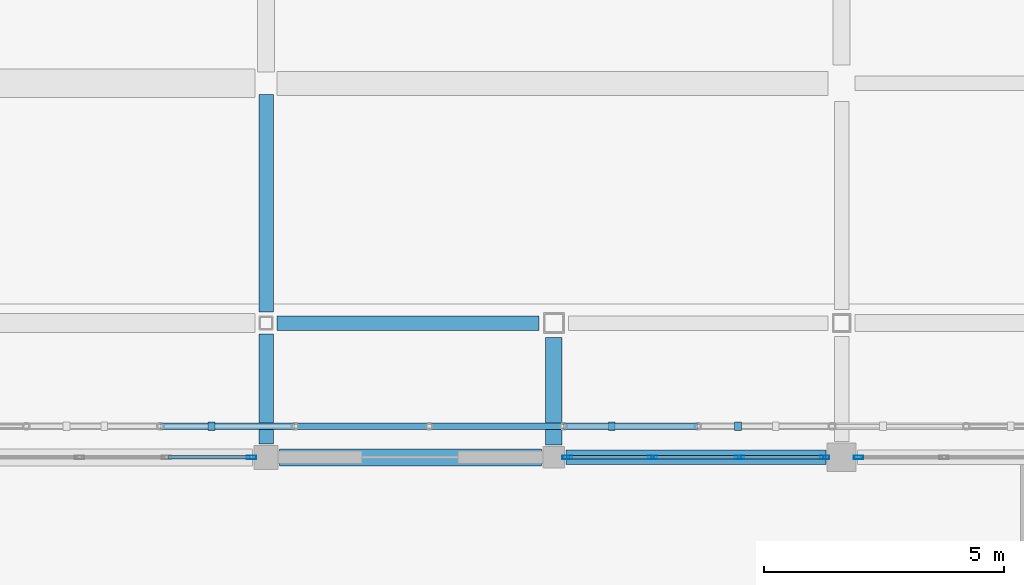
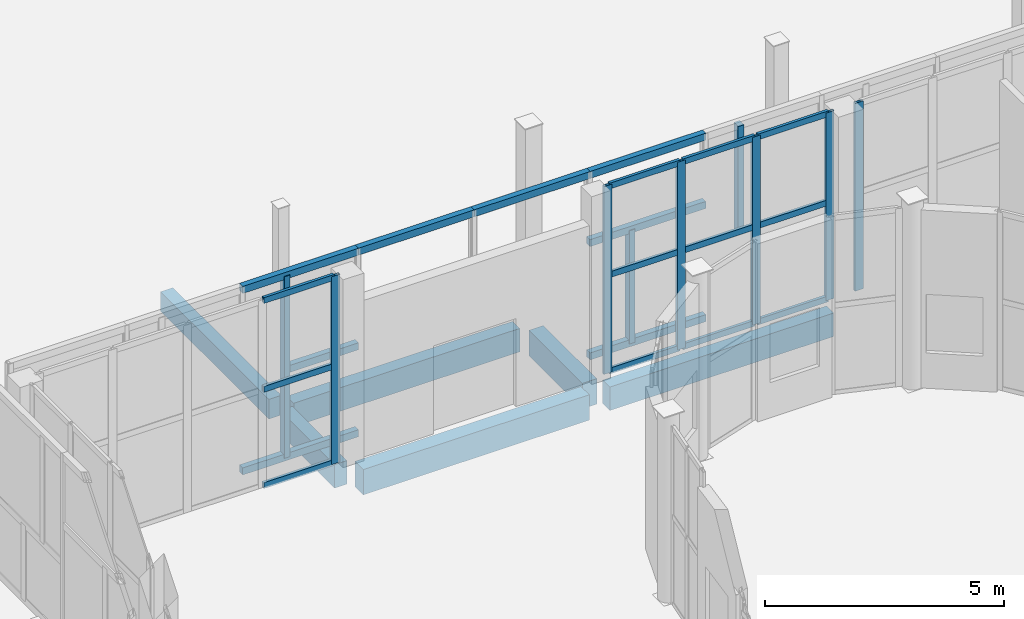
# One storey, part 45 of 91: 29 members, 6 beams, 3 elements without a shape of their own.
"""IFC4 building model written with IfcOpenShell, lengths in metres."""

from ifc_helpers import new_model, si_unit, direction, frame, origin, origin_2d, place, context, subcontext, project, spatial, rectangle, hollow_rectangle, extrude, material, layer, layer_set, material_profile, profile_set, type_object, element, aggregate, save


model = new_model("IFC4")

# Units and contexts
model_context = context("Model", 3, precision=1e-05, world=origin(), true_north=direction((0.0, 1.0)))
body_context = subcontext(model_context, "Body", "Model", "MODEL_VIEW")
ifc_project = project(units=[si_unit("LENGTHUNIT", "METRE"), si_unit("AREAUNIT", "SQUARE_METRE"), si_unit("VOLUMEUNIT", "CUBIC_METRE"), si_unit("PLANEANGLEUNIT", "RADIAN"), si_unit("MASSUNIT", "GRAM", prefix="KILO")], contexts=[model_context])

# Site, building, storey
site_placement = place(None, origin())
site = spatial("IfcSite", under=ifc_project, at=site_placement, CompositionType="ELEMENT")
building_placement = place(site_placement, origin())
building = spatial("IfcBuilding", under=site, at=building_placement, Name="Vinh Khe Railworks Police Headquarters", CompositionType="ELEMENT")
storey_placement = place(building_placement, origin())
storey = spatial("IfcBuildingStorey", under=building, at=storey_placement, Name="L00", CompositionType="ELEMENT", Elevation=0.0)

# Members
ifc_material_1 = material(Name="Salvaged ironwood timber", Category="wood")
ifc_material_profile_1 = material_profile(ifc_material_1, rectangle(XDim=0.139892578125, YDim=0.179931640625, at=origin_2d()), Name="TIMBER 140x180")
ifc_profile_set_1 = profile_set([ifc_material_profile_1], Name="Salvaged ironwood timber")
member_type_1 = type_object("IfcMemberType", Name="MEM-QUILT-STILE", PredefinedType="CHORD", material=ifc_profile_set_1)
for number, where, z_axis, x_axis, name in (
    (1, (32.0, 59.449951171875, 4.719970703125), (1.0, 0.0, 0.0), (0.0, 1.0, 0.0), "Salvaged Timber Quilt Transom N-L00-02-TOP"),
    (2, (32.0, 59.449951171875, 0.080078125), (1.0, 0.0, 0.0), (0.0, 1.0, 0.0), "Salvaged Timber Quilt Transom N-L00-02-BOT"),
):
    element("IfcMember", number, at=place(storey_placement, frame(where, z_axis=z_axis, x_axis=x_axis)), inside=storey, type_object=member_type_1, Name=name, PredefinedType="CHORD", context=body_context, shape_type="SweptSolid", body=[
        extrude(rectangle(XDim=0.139892578125, YDim=0.179931640625, at=origin_2d()), origin(), (0.0, 0.0, 1.0), 2.800048828125),
    ])
member_1_placement = place(storey_placement, frame((33.06396484375, 59.449951171875, 0.080078125), z_axis=(0.0, 0.0, 1.0), x_axis=(1.0, 0.0, 0.0)))
element("IfcMember", 3, at=member_1_placement, inside=storey, type_object=member_type_1, Name="Salvaged Timber Quilt Stile N-L00-02-V1", PredefinedType="POST", context=body_context, shape_type="SweptSolid", body=[
    extrude(rectangle(XDim=0.139892578125, YDim=0.179931640625, at=origin_2d()), origin(), (0.0, 0.0, 1.0), 4.639892578125),
])
member_2_placement = place(storey_placement, frame((33.06396484375, 59.449951171875, 2.303955078125), z_axis=(1.0, 0.0, 0.0), x_axis=(0.0, 1.0, 0.0)))
element("IfcMember", 4, at=member_2_placement, inside=storey, type_object=member_type_1, Name="Salvaged Timber Quilt Transom N-L00-02-M1", PredefinedType="CHORD", context=body_context, shape_type="SweptSolid", body=[
    extrude(rectangle(XDim=0.139892578125, YDim=0.179931640625, at=origin_2d()), origin(), (0.0, 0.0, 1.0), 1.736083984375),
])
member_3_placement = place(storey_placement, frame((34.800048828125, 59.449951171875, 4.719970703125), z_axis=(1.0, 0.0, 0.0), x_axis=(0.0, 1.0, 0.0)))
element("IfcMember", 5, at=member_3_placement, inside=storey, type_object=member_type_1, Name="Salvaged Timber Quilt Transom N-L00-03-TOP", PredefinedType="CHORD", context=body_context, shape_type="SweptSolid", body=[
    extrude(rectangle(XDim=0.139892578125, YDim=0.179931640625, at=origin_2d()), origin(), (0.0, 0.0, 1.0), 2.800048828125),
])
member_4_placement = place(storey_placement, frame((37.60009765625, 59.449951171875, 4.719970703125), z_axis=(1.0, 0.0, 0.0), x_axis=(0.0, 1.0, 0.0)))
element("IfcMember", 6, at=member_4_placement, inside=storey, type_object=member_type_1, Name="Salvaged Timber Quilt Transom N-L00-04-TOP", PredefinedType="CHORD", context=body_context, shape_type="SweptSolid", body=[
    extrude(rectangle(XDim=0.139892578125, YDim=0.179931640625, at=origin_2d()), origin(), (0.0, 0.0, 1.0), 2.7998046875),
])
for number, where, z_axis, x_axis, name in (
    (7, (40.39990234375, 59.449951171875, 4.719970703125), (1.0, 0.0, 0.0), (0.0, 1.0, 0.0), "Salvaged Timber Quilt Transom N-L00-05-TOP"),
    (8, (40.39990234375, 59.449951171875, 0.080078125), (1.0, 0.0, 0.0), (0.0, 1.0, 0.0), "Salvaged Timber Quilt Transom N-L00-05-BOT"),
    (9, (40.39990234375, 59.449951171875, 2.97607421875), (1.0, 0.0, 0.0), (0.0, 1.0, 0.0), "Salvaged Timber Quilt Transom N-L00-05-M1"),
):
    element("IfcMember", number, at=place(storey_placement, frame(where, z_axis=z_axis, x_axis=x_axis)), inside=storey, type_object=member_type_1, Name=name, PredefinedType="CHORD", context=body_context, shape_type="SweptSolid", body=[
        extrude(rectangle(XDim=0.139892578125, YDim=0.179931640625, at=origin_2d()), origin(), (0.0, 0.0, 1.0), 2.800048828125),
    ])
member_5_placement = place(storey_placement, frame((41.407958984375, 59.449951171875, 0.080078125), z_axis=(0.0, 0.0, 1.0), x_axis=(1.0, 0.0, 0.0)))
element("IfcMember", 10, at=member_5_placement, inside=storey, type_object=member_type_1, Name="Salvaged Timber Quilt Stile N-L00-05-V1", PredefinedType="POST", context=body_context, shape_type="SweptSolid", body=[
    extrude(rectangle(XDim=0.139892578125, YDim=0.179931640625, at=origin_2d()), origin(), (0.0, 0.0, 1.0), 2.89599609375),
])
member_6_placement = place(storey_placement, frame((44.0400390625, 59.449951171875, 2.01611328125), z_axis=(0.0, 0.0, 1.0), x_axis=(1.0, 0.0, 0.0)))
element("IfcMember", 11, at=member_6_placement, inside=storey, type_object=member_type_1, Name="Salvaged Timber Quilt Stile N-L00-06-V2", PredefinedType="POST", context=body_context, shape_type="SweptSolid", body=[
    extrude(rectangle(XDim=0.139892578125, YDim=0.179931640625, at=origin_2d()), origin(), (0.0, 0.0, 1.0), 2.703857421875),
])

# Curtain wall, member
ifc_material_2 = material(Name="Anodised aluminium and low-iron glass", Category="aluminium")
ifc_layer = layer(ifc_material_2, 0.179931640625)
ifc_layer_set = layer_set([ifc_layer], Name="Anodised aluminium and low-iron glass")
curtain_wall_type = type_object("IfcCurtainWallType", Name="CW-CUBE-UNIT", PredefinedType="USERDEFINED", material=ifc_layer_set)
curtain_wall_1_placement = place(storey_placement, origin())
curtain_wall_1 = element("IfcCurtainWall", 12, at=curtain_wall_1_placement, inside=storey, type_object=curtain_wall_type, Name="Entrance Hall Curtain Wall L00 N-1", ObjectType="UNITISED GLAZING", PredefinedType="USERDEFINED")
ifc_material_3 = material(Name="Anodised aluminium 6063-T6", Category="aluminium")
ifc_material_profile_2 = material_profile(ifc_material_3, hollow_rectangle(XDim=0.070068359375, YDim=0.199951171875, WallThickness=0.0048828125, at=origin_2d()), Name="CW-M 70x200x5")
ifc_profile_set_2 = profile_set([ifc_material_profile_2], Name="Anodised aluminium 6063-T6")
member_type_2 = type_object("IfcMemberType", Name="MULL-CWM-03", PredefinedType="MULLION", material=ifc_profile_set_2)
member_7_placement = place(storey_placement, frame((33.89501953125, 58.800048828125, 0.0), z_axis=(0.0, 0.0, 1.0), x_axis=(0.0, 1.0, 0.0)))
member_7 = element("IfcMember", 13, at=member_7_placement, type_object=member_type_2, Name="CW-01 mullion 5", PredefinedType="MULLION", context=body_context, shape_type="SweptSolid", body=[
    extrude(hollow_rectangle(XDim=0.070068359375, YDim=0.199951171875, WallThickness=0.0048828125, at=origin_2d()), origin(), (0.0, 0.0, 1.0), 4.800048828125),
])

# Curtain wall, members
curtain_wall_2_placement = place(storey_placement, origin())
curtain_wall_2 = element("IfcCurtainWall", 14, at=curtain_wall_2_placement, inside=storey, type_object=curtain_wall_type, Name="Entrance Hall Curtain Wall L00 N-3", ObjectType="UNITISED GLAZING", PredefinedType="USERDEFINED")
member_8_placement = place(storey_placement, frame((40.47998046875, 58.800048828125, 0.0), z_axis=(0.0, 0.0, 1.0), x_axis=(0.0, 1.0, 0.0)))
member_8 = element("IfcMember", 15, at=member_8_placement, type_object=member_type_2, Name="CW-01 mullion 1", PredefinedType="MULLION", context=body_context, shape_type="SweptSolid", body=[
    extrude(hollow_rectangle(XDim=0.070068359375, YDim=0.199951171875, WallThickness=0.0048828125, at=origin_2d()), origin(), (0.0, 0.0, 1.0), 4.800048828125),
])
member_9_placement = place(storey_placement, frame((42.256591796875, 58.800048828125, 0.0), z_axis=(0.0, 0.0, 1.0), x_axis=(0.0, 1.0, 0.0)))
member_9 = element("IfcMember", 16, at=member_9_placement, type_object=member_type_2, Name="CW-01 mullion 2", PredefinedType="MULLION", context=body_context, shape_type="SweptSolid", body=[
    extrude(hollow_rectangle(XDim=0.070068359375, YDim=0.199951171875, WallThickness=0.0048828125, at=origin_2d()), origin(), (0.0, 0.0, 1.0), 4.800048828125),
])
member_10_placement = place(storey_placement, frame((44.068359375, 58.800048828125, 0.0), z_axis=(0.0, 0.0, 1.0), x_axis=(0.0, 1.0, 0.0)))
member_10 = element("IfcMember", 17, at=member_10_placement, type_object=member_type_2, Name="CW-01 mullion 3", PredefinedType="MULLION", context=body_context, shape_type="SweptSolid", body=[
    extrude(hollow_rectangle(XDim=0.070068359375, YDim=0.199951171875, WallThickness=0.0048828125, at=origin_2d()), origin(), (0.0, 0.0, 1.0), 4.800048828125),
])
member_11_placement = place(storey_placement, frame((45.844970703125, 58.800048828125, 0.0), z_axis=(0.0, 0.0, 1.0), x_axis=(0.0, 1.0, 0.0)))
member_11 = element("IfcMember", 18, at=member_11_placement, type_object=member_type_2, Name="CW-01 mullion 4", PredefinedType="MULLION", context=body_context, shape_type="SweptSolid", body=[
    extrude(hollow_rectangle(XDim=0.070068359375, YDim=0.199951171875, WallThickness=0.0048828125, at=origin_2d()), origin(), (0.0, 0.0, 1.0), 4.800048828125),
])

# Curtain wall, member
curtain_wall_3_placement = place(storey_placement, origin())
curtain_wall_3 = element("IfcCurtainWall", 19, at=curtain_wall_3_placement, inside=storey, type_object=curtain_wall_type, Name="Entrance Hall Curtain Wall L00 N-4", ObjectType="UNITISED GLAZING", PredefinedType="USERDEFINED")
member_12_placement = place(storey_placement, frame((46.554931640625, 58.800048828125, 0.0), z_axis=(0.0, 0.0, 1.0), x_axis=(0.0, 1.0, 0.0)))
member_12 = element("IfcMember", 20, at=member_12_placement, type_object=member_type_2, Name="CW-01 mullion 1", PredefinedType="MULLION", context=body_context, shape_type="SweptSolid", body=[
    extrude(hollow_rectangle(XDim=0.070068359375, YDim=0.199951171875, WallThickness=0.0048828125, at=origin_2d()), origin(), (0.0, 0.0, 1.0), 4.800048828125),
])
aggregate(curtain_wall_3, [member_12])

# Beams
ifc_material_4 = material(Name="Concrete C35/45 (B35)", Category="concrete")
ifc_material_profile_3 = material_profile(ifc_material_4, rectangle(XDim=0.300048828125, YDim=0.5, at=origin_2d()), Name="RC 300x500")
ifc_profile_set_3 = profile_set([ifc_material_profile_3], Name="Concrete C35/45 (B35)")
beam_type_1 = type_object("IfcBeamType", Name="RC Girder RC 300x500", PredefinedType="BEAM", material=ifc_profile_set_3)
beam_1_placement = place(storey_placement, frame((34.199951171875, 61.830078125, -0.530029296875), z_axis=(0.0, 1.0, 0.0), x_axis=(-1.0, 0.0, 0.0)))
element("IfcBeam", 21, at=beam_1_placement, inside=storey, type_object=beam_type_1, Name="Girder BM-L00-NS-RB-10-0288", PredefinedType="BEAM", context=body_context, shape_type="SweptSolid", body=[
    extrude(rectangle(XDim=0.300048828125, YDim=0.5, at=origin_2d()), origin(), (0.0, 0.0, 1.0), 4.5400390625),
])
ifc_material_profile_4 = material_profile(ifc_material_4, rectangle(XDim=0.300048828125, YDim=0.60009765625, at=origin_2d()), Name="RC 300x600")
ifc_profile_set_4 = profile_set([ifc_material_profile_4], Name="Concrete C35/45 (B35)")
beam_type_2 = type_object("IfcBeamType", Name="RC Girder RC 300x600", PredefinedType="BEAM", material=ifc_profile_set_4)
beam_2_placement = place(storey_placement, frame((40.455078125, 58.800048828125, -0.580078125), z_axis=(1.0, 0.0, 0.0), x_axis=(0.0, 1.0, 0.0)))
element("IfcBeam", 22, at=beam_2_placement, inside=storey, type_object=beam_type_2, Name="Girder BM-L00-EW-RB-09-0080", PredefinedType="BEAM", context=body_context, shape_type="SweptSolid", body=[
    extrude(rectangle(XDim=0.300048828125, YDim=0.60009765625, at=origin_2d()), origin(), (0.0, 0.0, 1.0), 5.4150390625),
])
beam_3_placement = place(storey_placement, frame((34.429931640625, 61.60009765625, -0.580078125), z_axis=(1.0, 0.0, 0.0), x_axis=(0.0, 1.0, 0.0)))
element("IfcBeam", 23, at=beam_3_placement, inside=storey, type_object=beam_type_2, Name="Girder BM-L00-EW-RB-09-0086", PredefinedType="BEAM", context=body_context, shape_type="SweptSolid", body=[
    extrude(rectangle(XDim=0.300048828125, YDim=0.60009765625, at=origin_2d()), origin(), (0.0, 0.0, 1.0), 5.465087890625),
])
beam_4_placement = place(storey_placement, frame((34.199951171875, 59.080078125, -0.580078125), z_axis=(0.0, 1.0, 0.0), x_axis=(-1.0, 0.0, 0.0)))
element("IfcBeam", 24, at=beam_4_placement, inside=storey, type_object=beam_type_2, Name="Girder BM-L00-NS-RB-09-0287", PredefinedType="BEAM", context=body_context, shape_type="SweptSolid", body=[
    extrude(rectangle(XDim=0.300048828125, YDim=0.60009765625, at=origin_2d()), origin(), (0.0, 0.0, 1.0), 2.2900390625),
])
ifc_material_profile_5 = material_profile(ifc_material_4, rectangle(XDim=0.35009765625, YDim=0.64990234375, at=origin_2d()), Name="RC 350x650")
ifc_profile_set_5 = profile_set([ifc_material_profile_5], Name="Concrete C35/45 (B35)")
beam_type_3 = type_object("IfcBeamType", Name="RC Girder RC 350x650", PredefinedType="BEAM", material=ifc_profile_set_5)
beam_5_placement = place(storey_placement, frame((34.47998046875, 58.800048828125, -0.60498046875), z_axis=(1.0, 0.0, 0.0), x_axis=(0.0, 1.0, 0.0)))
element("IfcBeam", 25, at=beam_5_placement, inside=storey, type_object=beam_type_3, Name="Girder BM-L00-EW-RB-08-0079", PredefinedType="BEAM", context=body_context, shape_type="SweptSolid", body=[
    extrude(rectangle(XDim=0.35009765625, YDim=0.64990234375, at=origin_2d()), origin(), (0.0, 0.0, 1.0), 5.465087890625),
])
beam_6_placement = place(storey_placement, frame((40.199951171875, 59.054931640625, -0.60498046875), z_axis=(0.0, 1.0, 0.0), x_axis=(-1.0, 0.0, 0.0)))
element("IfcBeam", 26, at=beam_6_placement, inside=storey, type_object=beam_type_3, Name="Girder BM-L00-NS-RB-08-0298", PredefinedType="BEAM", context=body_context, shape_type="SweptSolid", body=[
    extrude(rectangle(XDim=0.35009765625, YDim=0.64990234375, at=origin_2d()), origin(), (0.0, 0.0, 1.0), 2.239990234375),
])

# Member
ifc_material_profile_6 = material_profile(ifc_material_3, hollow_rectangle(XDim=0.070068359375, YDim=0.14990234375, WallThickness=0.0048828125, at=origin_2d()), Name="CW-T 70x150x5")
ifc_profile_set_6 = profile_set([ifc_material_profile_6], Name="Anodised aluminium 6063-T6")
member_type_3 = type_object("IfcMemberType", Name="TRAN-CWT-03", PredefinedType="USERDEFINED", material=ifc_profile_set_6)
member_13_placement = place(storey_placement, frame((32.15625, 58.800048828125, 0.034912109375), z_axis=(1.0, 0.0, 0.0), x_axis=(0.0, 1.0, 0.0)))
member_13 = element("IfcMember", 27, at=member_13_placement, type_object=member_type_3, Name="CW-01 transom 4.1", ObjectType="TRANSOM", PredefinedType="USERDEFINED", context=body_context, shape_type="SweptSolid", body=[
    extrude(hollow_rectangle(XDim=0.070068359375, YDim=0.14990234375, WallThickness=0.0048828125, at=origin_2d()), origin(), (0.0, 0.0, 1.0), 1.703857421875),
])

member_14_placement = place(storey_placement, frame((32.15625, 58.800048828125, 2.49609375), z_axis=(1.0, 0.0, 0.0), x_axis=(0.0, 1.0, 0.0)))
member_14 = element("IfcMember", 28, at=member_14_placement, type_object=member_type_3, Name="CW-01 transom 4.2", ObjectType="TRANSOM", PredefinedType="USERDEFINED", context=body_context, shape_type="SweptSolid", body=[
    extrude(hollow_rectangle(XDim=0.070068359375, YDim=0.14990234375, WallThickness=0.0048828125, at=origin_2d()), origin(), (0.0, 0.0, 1.0), 1.703857421875),
])

member_15_placement = place(storey_placement, frame((32.15625, 58.800048828125, 4.764892578125), z_axis=(1.0, 0.0, 0.0), x_axis=(0.0, 1.0, 0.0)))
member_15 = element("IfcMember", 29, at=member_15_placement, type_object=member_type_3, Name="CW-01 transom 4.3", ObjectType="TRANSOM", PredefinedType="USERDEFINED", context=body_context, shape_type="SweptSolid", body=[
    extrude(hollow_rectangle(XDim=0.070068359375, YDim=0.14990234375, WallThickness=0.0048828125, at=origin_2d()), origin(), (0.0, 0.0, 1.0), 1.703857421875),
])

aggregate(curtain_wall_1, [member_7, member_13, member_14, member_15])

member_16_placement = place(storey_placement, frame((40.514892578125, 58.800048828125, 0.034912109375), z_axis=(1.0, 0.0, 0.0), x_axis=(0.0, 1.0, 0.0)))
member_16 = element("IfcMember", 30, at=member_16_placement, type_object=member_type_3, Name="CW-01 transom 1.1", ObjectType="TRANSOM", PredefinedType="USERDEFINED", context=body_context, shape_type="SweptSolid", body=[
    extrude(hollow_rectangle(XDim=0.070068359375, YDim=0.14990234375, WallThickness=0.0048828125, at=origin_2d()), origin(), (0.0, 0.0, 1.0), 1.706787109375),
])

member_17_placement = place(storey_placement, frame((40.514892578125, 58.800048828125, 2.49609375), z_axis=(1.0, 0.0, 0.0), x_axis=(0.0, 1.0, 0.0)))
member_17 = element("IfcMember", 31, at=member_17_placement, type_object=member_type_3, Name="CW-01 transom 1.2", ObjectType="TRANSOM", PredefinedType="USERDEFINED", context=body_context, shape_type="SweptSolid", body=[
    extrude(hollow_rectangle(XDim=0.070068359375, YDim=0.14990234375, WallThickness=0.0048828125, at=origin_2d()), origin(), (0.0, 0.0, 1.0), 1.706787109375),
])

member_18_placement = place(storey_placement, frame((40.514892578125, 58.800048828125, 4.764892578125), z_axis=(1.0, 0.0, 0.0), x_axis=(0.0, 1.0, 0.0)))
member_18 = element("IfcMember", 32, at=member_18_placement, type_object=member_type_3, Name="CW-01 transom 1.3", ObjectType="TRANSOM", PredefinedType="USERDEFINED", context=body_context, shape_type="SweptSolid", body=[
    extrude(hollow_rectangle(XDim=0.070068359375, YDim=0.14990234375, WallThickness=0.0048828125, at=origin_2d()), origin(), (0.0, 0.0, 1.0), 1.706787109375),
])

member_19_placement = place(storey_placement, frame((42.291748046875, 58.800048828125, 0.034912109375), z_axis=(1.0, 0.0, 0.0), x_axis=(0.0, 1.0, 0.0)))
member_19 = element("IfcMember", 33, at=member_19_placement, type_object=member_type_3, Name="CW-01 transom 2.1", ObjectType="TRANSOM", PredefinedType="USERDEFINED", context=body_context, shape_type="SweptSolid", body=[
    extrude(hollow_rectangle(XDim=0.070068359375, YDim=0.14990234375, WallThickness=0.0048828125, at=origin_2d()), origin(), (0.0, 0.0, 1.0), 1.74169921875),
])

member_20_placement = place(storey_placement, frame((42.291748046875, 58.800048828125, 2.49609375), z_axis=(1.0, 0.0, 0.0), x_axis=(0.0, 1.0, 0.0)))
member_20 = element("IfcMember", 34, at=member_20_placement, type_object=member_type_3, Name="CW-01 transom 2.2", ObjectType="TRANSOM", PredefinedType="USERDEFINED", context=body_context, shape_type="SweptSolid", body=[
    extrude(hollow_rectangle(XDim=0.070068359375, YDim=0.14990234375, WallThickness=0.0048828125, at=origin_2d()), origin(), (0.0, 0.0, 1.0), 1.74169921875),
])

member_21_placement = place(storey_placement, frame((42.291748046875, 58.800048828125, 4.764892578125), z_axis=(1.0, 0.0, 0.0), x_axis=(0.0, 1.0, 0.0)))
member_21 = element("IfcMember", 35, at=member_21_placement, type_object=member_type_3, Name="CW-01 transom 2.3", ObjectType="TRANSOM", PredefinedType="USERDEFINED", context=body_context, shape_type="SweptSolid", body=[
    extrude(hollow_rectangle(XDim=0.070068359375, YDim=0.14990234375, WallThickness=0.0048828125, at=origin_2d()), origin(), (0.0, 0.0, 1.0), 1.74169921875),
])

member_22_placement = place(storey_placement, frame((44.103271484375, 58.800048828125, 0.034912109375), z_axis=(1.0, 0.0, 0.0), x_axis=(0.0, 1.0, 0.0)))
member_22 = element("IfcMember", 36, at=member_22_placement, type_object=member_type_3, Name="CW-01 transom 3.1", ObjectType="TRANSOM", PredefinedType="USERDEFINED", context=body_context, shape_type="SweptSolid", body=[
    extrude(hollow_rectangle(XDim=0.070068359375, YDim=0.14990234375, WallThickness=0.0048828125, at=origin_2d()), origin(), (0.0, 0.0, 1.0), 1.706787109375),
])

member_23_placement = place(storey_placement, frame((44.103271484375, 58.800048828125, 2.49609375), z_axis=(1.0, 0.0, 0.0), x_axis=(0.0, 1.0, 0.0)))
member_23 = element("IfcMember", 37, at=member_23_placement, type_object=member_type_3, Name="CW-01 transom 3.2", ObjectType="TRANSOM", PredefinedType="USERDEFINED", context=body_context, shape_type="SweptSolid", body=[
    extrude(hollow_rectangle(XDim=0.070068359375, YDim=0.14990234375, WallThickness=0.0048828125, at=origin_2d()), origin(), (0.0, 0.0, 1.0), 1.706787109375),
])

member_24_placement = place(storey_placement, frame((44.103271484375, 58.800048828125, 4.764892578125), z_axis=(1.0, 0.0, 0.0), x_axis=(0.0, 1.0, 0.0)))
member_24 = element("IfcMember", 38, at=member_24_placement, type_object=member_type_3, Name="CW-01 transom 3.3", ObjectType="TRANSOM", PredefinedType="USERDEFINED", context=body_context, shape_type="SweptSolid", body=[
    extrude(hollow_rectangle(XDim=0.070068359375, YDim=0.14990234375, WallThickness=0.0048828125, at=origin_2d()), origin(), (0.0, 0.0, 1.0), 1.706787109375),
])

aggregate(curtain_wall_2, [member_8, member_9, member_10, member_11, member_16, member_17, member_18, member_19, member_20, member_21, member_22, member_23, member_24])

save(model, "model.ifc")
